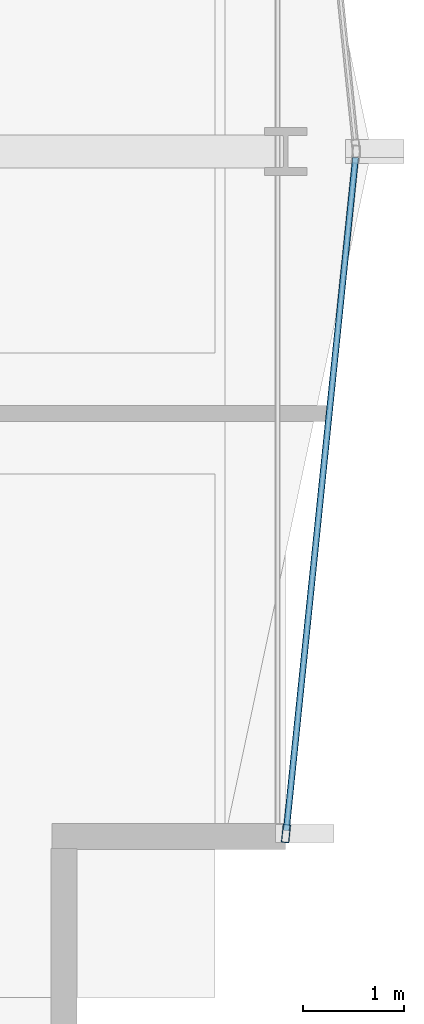
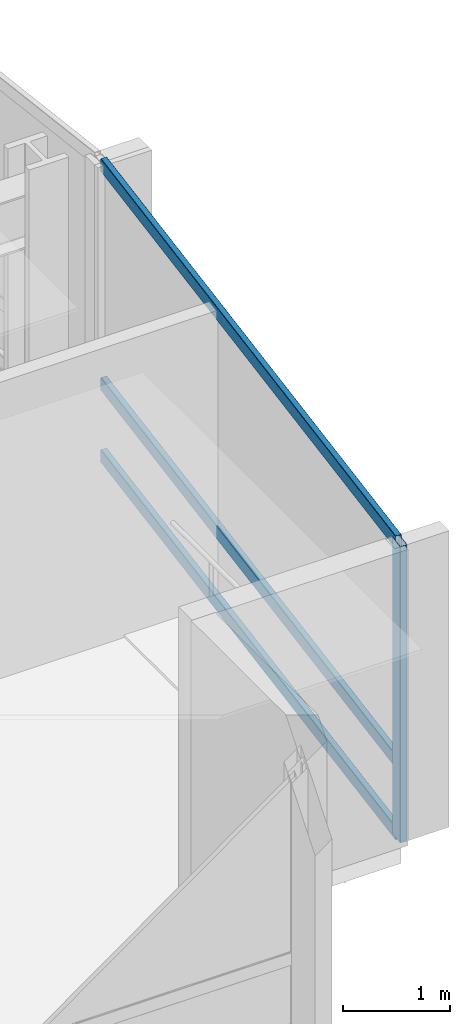
# One storey, part 13 of 34: 4 members, 1 element without a shape of its own.
"""IFC4 building model written with IfcOpenShell, lengths in metres."""

from ifc_helpers import new_model, si_unit, direction, frame, origin, origin_2d, place, context, subcontext, project, spatial, hollow_rectangle, extrude, material, layer, layer_set, material_profile, profile_set, type_object, element, aggregate, save


model = new_model("IFC4")

# Units and contexts
model_context = context("Model", 3, precision=1e-05, world=origin(), true_north=direction((0.0, 1.0)))
body_context = subcontext(model_context, "Body", "Model", "MODEL_VIEW")
ifc_project = project(units=[si_unit("LENGTHUNIT", "METRE"), si_unit("AREAUNIT", "SQUARE_METRE"), si_unit("VOLUMEUNIT", "CUBIC_METRE"), si_unit("PLANEANGLEUNIT", "RADIAN"), si_unit("MASSUNIT", "GRAM", prefix="KILO")], contexts=[model_context])

# Site, building, storey
site_placement = place(None, origin())
site = spatial("IfcSite", under=ifc_project, at=site_placement, CompositionType="ELEMENT")
building_placement = place(site_placement, origin())
building = spatial("IfcBuilding", under=site, at=building_placement, Name="Solvaryn Broadcast Tower", CompositionType="ELEMENT")
storey_placement = place(building_placement, frame((0.0, 0.0, 96.5)))
storey = spatial("IfcBuildingStorey", under=building, at=storey_placement, Name="L23", CompositionType="ELEMENT", Elevation=96.5)

# Curtain wall, members
ifc_material_1 = material(Name="Aluminium and Terracotta Unitised Curtain Wall", Category="masonry")
ifc_layer = layer(ifc_material_1, 0.199951171875)
ifc_layer_set = layer_set([ifc_layer], Name="CW-SYS2-LOWMID")
curtain_wall_type = type_object("IfcCurtainWallType", Name="CW-SYS2-LOWMID", PredefinedType="NOTDEFINED", material=ifc_layer_set)
curtain_wall_placement = place(storey_placement, origin())
curtain_wall = element("IfcCurtainWall", 1, at=curtain_wall_placement, inside=storey, type_object=curtain_wall_type, Name="L23 Curtain Wall ET2", PredefinedType="NOTDEFINED")
ifc_material_2 = material(Name="Anodised Aluminium 6063-T6", Category="aluminium")
ifc_material_profile_1 = material_profile(ifc_material_2, hollow_rectangle(XDim=0.074951171875, YDim=0.179931640625, WallThickness=0.00390625, InnerFilletRadius=0.00390625, OuterFilletRadius=0.008056640625, at=origin_2d()))
ifc_profile_set_1 = profile_set([ifc_material_profile_1], Name="Anodised Aluminium 6063-T6")
member_type_1 = type_object("IfcMemberType", Name="CW-MUL-180", PredefinedType="MULLION", material=ifc_profile_set_1)
member_1_placement = place(storey_placement, frame((63.003173828125, 11.229736328125, 0.0), z_axis=(0.0, 0.0, 1.0), x_axis=(0.99474329889, -0.10240004548, 0.0)))
member_1 = element("IfcMember", 2, at=member_1_placement, type_object=member_type_1, Name="CWS2 mullion 2", PredefinedType="MULLION", context=body_context, shape_type="SweptSolid", body=[
    extrude(hollow_rectangle(XDim=0.074951171875, YDim=0.179931640625, WallThickness=0.00390625, InnerFilletRadius=0.00390625, OuterFilletRadius=0.008056640625, at=origin_2d()), origin(), (0.0, 0.0, 1.0), 3.3701171875),
])
ifc_material_3 = material(Name="Anodised Aluminium 6063-T6", Category="aluminium")
ifc_material_profile_2 = material_profile(ifc_material_3, hollow_rectangle(XDim=0.06494140625, YDim=0.14990234375, WallThickness=0.00390625, InnerFilletRadius=0.00390625, OuterFilletRadius=0.008056640625, at=origin_2d()))
ifc_profile_set_2 = profile_set([ifc_material_profile_2], Name="Anodised Aluminium 6063-T6")
member_type_2 = type_object("IfcMemberType", Name="CW-TRN-150", PredefinedType="USERDEFINED", material=ifc_profile_set_2)
member_2_placement = place(storey_placement, frame((63.69384765625, 17.9404296875, 0.030029296875), z_axis=(-0.102404277363, -0.994742863245, 0.0), x_axis=(0.994742863245, -0.102404277363, 0.0)))
member_2 = element("IfcMember", 3, at=member_2_placement, type_object=member_type_2, Name="CWS2 transom 1.1", ObjectType="TRANSOM", PredefinedType="USERDEFINED", context=body_context, shape_type="SweptSolid", body=[
    extrude(hollow_rectangle(XDim=0.06494140625, YDim=0.14990234375, WallThickness=0.00390625, InnerFilletRadius=0.00390625, OuterFilletRadius=0.008056640625, at=origin_2d()), origin(), (0.0, 0.0, 1.0), 6.716064453125),
])
member_3_placement = place(storey_placement, frame((63.69384765625, 17.9404296875, 0.85009765625), z_axis=(-0.102404277363, -0.994742863245, 0.0), x_axis=(0.994742863245, -0.102404277363, 0.0)))
member_3 = element("IfcMember", 4, at=member_3_placement, type_object=member_type_2, Name="CWS2 transom 1.2", ObjectType="TRANSOM", PredefinedType="USERDEFINED", context=body_context, shape_type="SweptSolid", body=[
    extrude(hollow_rectangle(XDim=0.06494140625, YDim=0.14990234375, WallThickness=0.00390625, InnerFilletRadius=0.00390625, OuterFilletRadius=0.008056640625, at=origin_2d()), origin(), (0.0, 0.0, 1.0), 6.716064453125),
])
member_4_placement = place(storey_placement, frame((63.69384765625, 17.9404296875, 3.340087890625), z_axis=(-0.102404277363, -0.994742863245, 0.0), x_axis=(0.994742863245, -0.102404277363, 0.0)))
member_4 = element("IfcMember", 5, at=member_4_placement, type_object=member_type_2, Name="CWS2 transom 1.3", ObjectType="TRANSOM", PredefinedType="USERDEFINED", context=body_context, shape_type="SweptSolid", body=[
    extrude(hollow_rectangle(XDim=0.06494140625, YDim=0.14990234375, WallThickness=0.00390625, InnerFilletRadius=0.00390625, OuterFilletRadius=0.008056640625, at=origin_2d()), origin(), (0.0, 0.0, 1.0), 6.716064453125),
])
aggregate(curtain_wall, [member_1, member_2, member_3, member_4])

save(model, "model.ifc")
